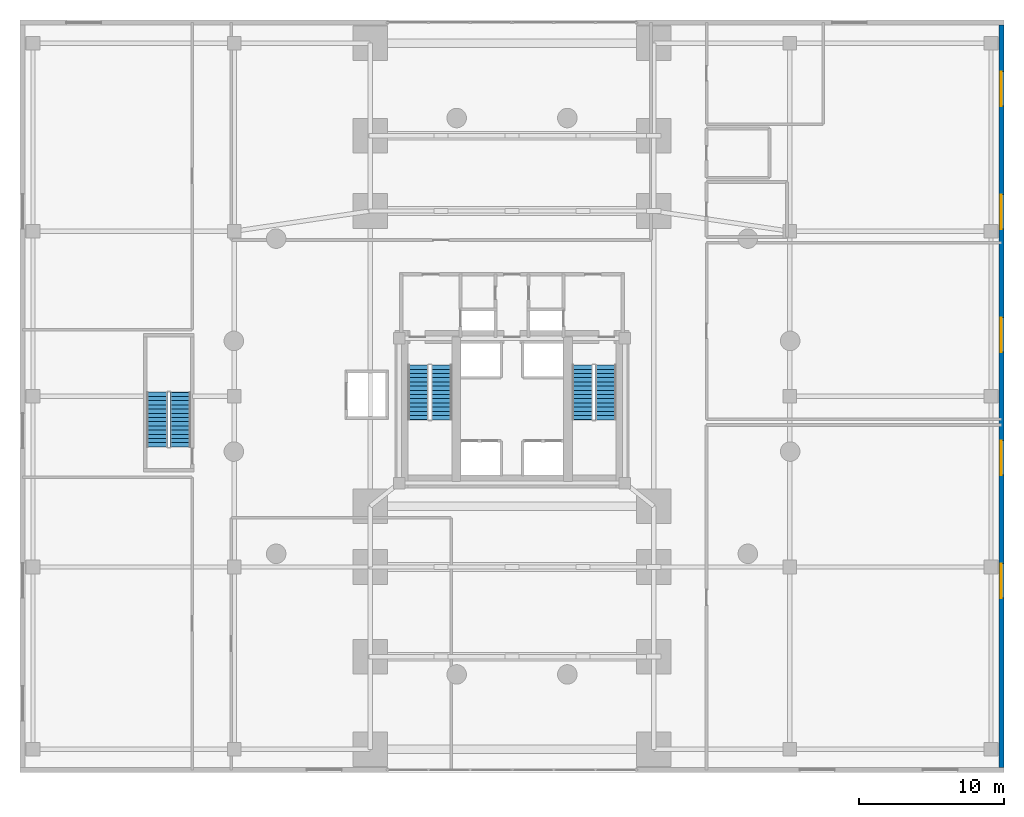
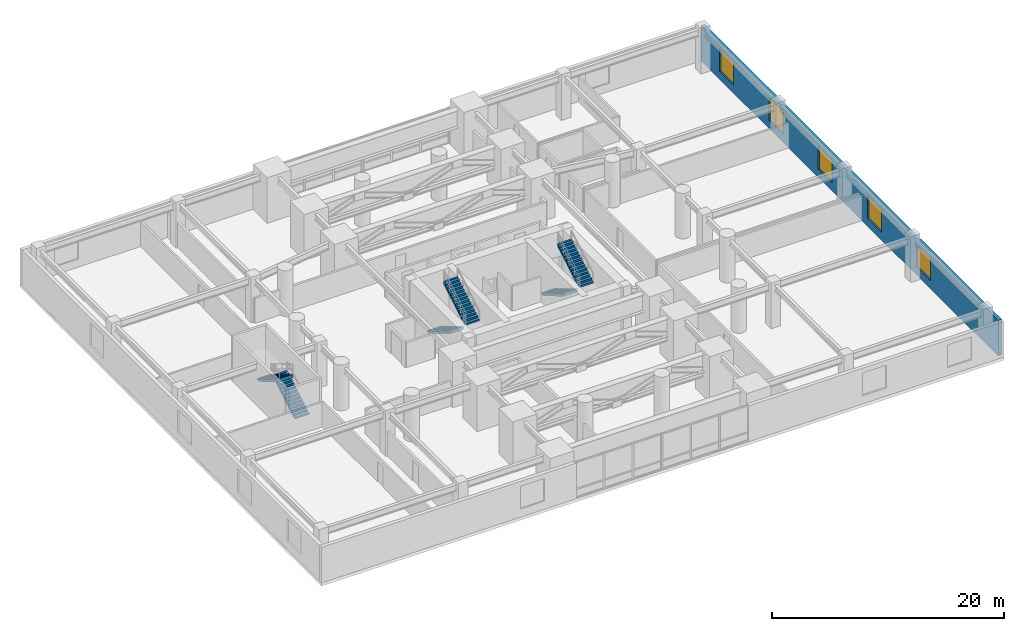
# One storey, part 16 of 17: 6 stair flights, 5 windows, 1 wall, 5 openings, 3 elements without a shape of their own.
"""IFC4 building model written with IfcOpenShell, lengths in metres."""

from ifc_helpers import new_model, si_unit, direction, frame, frame_2d, origin, place, context, subcontext, project, spatial, polyline, rectangle, outline, extrude, material, layer, layer_set, type_object, element, fill, aggregate, save


model = new_model("IFC4")

# Units and contexts
model_context = context("Model", 3, precision=1e-05, world=origin(), true_north=direction((0.0, 1.0)))
body_context = subcontext(model_context, "Body", "Model", "MODEL_VIEW")
ifc_project = project(units=[si_unit("LENGTHUNIT", "METRE"), si_unit("AREAUNIT", "SQUARE_METRE"), si_unit("VOLUMEUNIT", "CUBIC_METRE"), si_unit("PLANEANGLEUNIT", "RADIAN"), si_unit("MASSUNIT", "GRAM", prefix="KILO"), si_unit("THERMODYNAMICTEMPERATUREUNIT", "KELVIN"), si_unit("POWERUNIT", "WATT")], contexts=[model_context])

# Site, building, storey
site_placement = place(None, origin())
site = spatial("IfcSite", under=ifc_project, at=site_placement, CompositionType="ELEMENT")
building_placement = place(site_placement, origin())
building = spatial("IfcBuilding", under=site, at=building_placement, Name="Ocrelia Relay Tower", CompositionType="ELEMENT")
storey_placement = place(building_placement, frame((0.0, 0.0, 15.60009765625)))
storey = spatial("IfcBuildingStorey", under=building, at=storey_placement, Name="L03", CompositionType="ELEMENT", Elevation=15.60009765625)

# Wall, openings, windows
ifc_material_1 = material(Name="Precast concrete C40/50 with oxide terracotta", Category="masonry")
ifc_layer = layer(ifc_material_1, 0.35009765625, Name="Precast concrete C40/50 with oxide terracotta")
ifc_layer_set = layer_set([ifc_layer], Name="Precast concrete C40/50 with oxide terracotta")
wall_type = type_object("IfcWallType", Name="W-EXT-POD-350", PredefinedType="SOLIDWALL", material=ifc_layer_set)
wall_placement = place(storey_placement, frame((67.820068359375, 51.639892578125, 0.0), z_axis=(0.0, 0.0, 1.0), x_axis=(0.0, -1.0, 0.0)))
wall = element("IfcWall", 1, at=wall_placement, inside=storey, type_object=wall_type, Name="L03 Oxide Terracotta Podium Wall EE", PredefinedType="SOLIDWALL", context=body_context, shape_type="SweptSolid", body=[
    extrude(rectangle(XDim=51.27978515625, YDim=0.35009765625, at=frame_2d((25.639892578125, 0.0))), origin(), (0.0, 0.0, 1.0), 3.760009765625),
])
opening_1_placement = place(wall_placement, frame((3.199951171875, 0.0, 0.85009765625)))
opening_1 = element("IfcOpeningElement", 2, at=opening_1_placement, cuts=wall, Name="Opening W-01", PredefinedType="OPENING", context=body_context, shape_type="SweptSolid", body=[
    extrude(rectangle(XDim=2.39990234375, YDim=2.39990234375, at=frame_2d((1.199951171875, 1.199951171875))), frame((0.0, 0.18505859375, 0.0), z_axis=(0.0, -1.0, 0.0), x_axis=(1.0, 0.0, 0.0)), (0.0, 0.0, 1.0), 0.3701171875),
])
opening_2_placement = place(wall_placement, frame((11.699951171875, 0.0, 0.85009765625)))
opening_2 = element("IfcOpeningElement", 3, at=opening_2_placement, cuts=wall, Name="Opening W-01", PredefinedType="OPENING", context=body_context, shape_type="SweptSolid", body=[
    extrude(rectangle(XDim=2.39990234375, YDim=2.39990234375, at=frame_2d((1.199951171875, 1.199951171875))), frame((0.0, 0.18505859375, 0.0), z_axis=(0.0, -1.0, 0.0), x_axis=(1.0, 0.0, 0.0)), (0.0, 0.0, 1.0), 0.3701171875),
])
opening_3_placement = place(wall_placement, frame((20.199951171875, 0.0, 0.85009765625)))
opening_3 = element("IfcOpeningElement", 4, at=opening_3_placement, cuts=wall, Name="Opening W-01", PredefinedType="OPENING", context=body_context, shape_type="SweptSolid", body=[
    extrude(rectangle(XDim=2.39990234375, YDim=2.39990234375, at=frame_2d((1.199951171875, 1.199951171875))), frame((0.0, 0.18505859375, 0.0), z_axis=(0.0, -1.0, 0.0), x_axis=(1.0, 0.0, 0.0)), (0.0, 0.0, 1.0), 0.3701171875),
])
opening_4_placement = place(wall_placement, frame((28.699951171875, 0.0, 0.85009765625)))
opening_4 = element("IfcOpeningElement", 5, at=opening_4_placement, cuts=wall, Name="Opening W-01", PredefinedType="OPENING", context=body_context, shape_type="SweptSolid", body=[
    extrude(rectangle(XDim=2.39990234375, YDim=2.39990234375, at=frame_2d((1.199951171875, 1.199951171875))), frame((0.0, 0.18505859375, 0.0), z_axis=(0.0, -1.0, 0.0), x_axis=(1.0, 0.0, 0.0)), (0.0, 0.0, 1.0), 0.3701171875),
])
opening_5_placement = place(wall_placement, frame((37.199951171875, 0.0, 0.85009765625)))
opening_5 = element("IfcOpeningElement", 6, at=opening_5_placement, cuts=wall, Name="Opening W-01", PredefinedType="OPENING", context=body_context, shape_type="SweptSolid", body=[
    extrude(rectangle(XDim=2.39990234375, YDim=2.39990234375, at=frame_2d((1.199951171875, 1.199951171875))), frame((0.0, 0.18505859375, 0.0), z_axis=(0.0, -1.0, 0.0), x_axis=(1.0, 0.0, 0.0)), (0.0, 0.0, 1.0), 0.3701171875),
])
ifc_material_2 = material(Name="Clear double-glazed low-E glass", Category="glass")
window_type = type_object("IfcWindowType", Name="WIN-POD-2400x2600", PartitioningType="SINGLE_PANEL", PredefinedType="WINDOW", material=ifc_material_2)
window_1_placement = place(opening_1_placement, origin())
window_1 = element("IfcWindow", 7, at=window_1_placement, inside=storey, type_object=window_type, Name="L03 Podium Punched Window EE-1", OverallHeight=2.39990234375, OverallWidth=2.39990234375, PartitioningType="SINGLE_PANEL", PredefinedType="WINDOW", context=body_context, shape_type="SweptSolid", body=[
    extrude(rectangle(XDim=2.39990234375, YDim=2.39990234375, at=frame_2d((1.199951171875, 1.199951171875))), frame((0.0, 0.030029296875, 0.0), z_axis=(0.0, -1.0, 0.0), x_axis=(1.0, 0.0, 0.0)), (0.0, 0.0, 1.0), 0.06005859375),
])
fill(opening_1, window_1)
window_2_placement = place(opening_2_placement, origin())
window_2 = element("IfcWindow", 8, at=window_2_placement, inside=storey, type_object=window_type, Name="L03 Podium Punched Window EE-2", OverallHeight=2.39990234375, OverallWidth=2.39990234375, PartitioningType="SINGLE_PANEL", PredefinedType="WINDOW", context=body_context, shape_type="SweptSolid", body=[
    extrude(rectangle(XDim=2.39990234375, YDim=2.39990234375, at=frame_2d((1.199951171875, 1.199951171875))), frame((0.0, 0.030029296875, 0.0), z_axis=(0.0, -1.0, 0.0), x_axis=(1.0, 0.0, 0.0)), (0.0, 0.0, 1.0), 0.06005859375),
])
fill(opening_2, window_2)
window_3_placement = place(opening_3_placement, origin())
window_3 = element("IfcWindow", 9, at=window_3_placement, inside=storey, type_object=window_type, Name="L03 Podium Punched Window EE-3", OverallHeight=2.39990234375, OverallWidth=2.39990234375, PartitioningType="SINGLE_PANEL", PredefinedType="WINDOW", context=body_context, shape_type="SweptSolid", body=[
    extrude(rectangle(XDim=2.39990234375, YDim=2.39990234375, at=frame_2d((1.199951171875, 1.199951171875))), frame((0.0, 0.030029296875, 0.0), z_axis=(0.0, -1.0, 0.0), x_axis=(1.0, 0.0, 0.0)), (0.0, 0.0, 1.0), 0.06005859375),
])
fill(opening_3, window_3)
window_4_placement = place(opening_4_placement, origin())
window_4 = element("IfcWindow", 10, at=window_4_placement, inside=storey, type_object=window_type, Name="L03 Podium Punched Window EE-4", OverallHeight=2.39990234375, OverallWidth=2.39990234375, PartitioningType="SINGLE_PANEL", PredefinedType="WINDOW", context=body_context, shape_type="SweptSolid", body=[
    extrude(rectangle(XDim=2.39990234375, YDim=2.39990234375, at=frame_2d((1.199951171875, 1.199951171875))), frame((0.0, 0.030029296875, 0.0), z_axis=(0.0, -1.0, 0.0), x_axis=(1.0, 0.0, 0.0)), (0.0, 0.0, 1.0), 0.06005859375),
])
fill(opening_4, window_4)
window_5_placement = place(opening_5_placement, origin())
window_5 = element("IfcWindow", 11, at=window_5_placement, inside=storey, type_object=window_type, Name="L03 Podium Punched Window EE-5", OverallHeight=2.39990234375, OverallWidth=2.39990234375, PartitioningType="SINGLE_PANEL", PredefinedType="WINDOW", context=body_context, shape_type="SweptSolid", body=[
    extrude(rectangle(XDim=2.39990234375, YDim=2.39990234375, at=frame_2d((1.199951171875, 1.199951171875))), frame((0.0, 0.030029296875, 0.0), z_axis=(0.0, -1.0, 0.0), x_axis=(1.0, 0.0, 0.0)), (0.0, 0.0, 1.0), 0.06005859375),
])
fill(opening_5, window_5)

# Stair, stair flights
ifc_material_3 = material(Name="Concrete C50/60", Category="concrete")
stair_type = type_object("IfcStairType", Name="ST-DL-1420-R171", PredefinedType="HALF_TURN_STAIR", material=ifc_material_3)
stair_1_placement = place(storey_placement, origin())
stair_1 = element("IfcStair", 12, at=stair_1_placement, inside=storey, type_object=stair_type, Name="L03 West Core Exit Stair ST1", PredefinedType="HALF_TURN_STAIR")
stair_flight_type = type_object("IfcStairFlightType", Name="STF-DL-1420-R171", PredefinedType="STRAIGHT", material=ifc_material_3)
stair_flight_1_placement = place(storey_placement, frame((27.52001953125, 28.14990234375, 0.0), z_axis=(0.0, 0.0, 1.0), x_axis=(0.0, -1.0, 0.0)))
stair_flight_1 = element("IfcStairFlight", 13, at=stair_flight_1_placement, type_object=stair_flight_type, Name="ST1 flight 1", NumberOfRisers=14, NumberOfTreads=13, PredefinedType="STRAIGHT", RiserHeight=0.171428571, TreadLength=0.29, context=body_context, shape_type="SweptSolid", body=[
    extrude(outline(polyline([(-0.008056640625, 0.0), (-0.008056640625, 0.17138671875), (0.0, 0.17138671875), (0.2900390625, 0.17138671875), (0.2900390625, 0.3427734375), (0.580078125, 0.3427734375), (0.580078125, 0.514404296875), (0.8701171875, 0.514404296875), (0.8701171875, 0.685791015625), (1.159912109375, 0.685791015625), (1.159912109375, 0.857177734375), (1.449951171875, 0.857177734375), (1.449951171875, 1.028564453125), (1.739990234375, 1.028564453125), (1.739990234375, 1.199951171875), (2.030029296875, 1.199951171875), (2.030029296875, 1.371337890625), (2.320068359375, 1.371337890625), (2.320068359375, 1.54296875), (2.610107421875, 1.54296875), (2.610107421875, 1.71435546875), (2.89990234375, 1.71435546875), (2.89990234375, 1.8857421875), (3.18994140625, 1.8857421875), (3.18994140625, 2.05712890625), (3.47998046875, 2.05712890625), (3.47998046875, 2.228515625), (3.77001953125, 2.228515625), (3.77001953125, 2.39990234375), (3.778076171875, 2.39990234375), (3.778076171875, 2.054443359375), (0.294677734375, 0.0), (-0.008056640625, 0.0)])), frame((0.0, 0.7099609375, 0.0), z_axis=(0.0, -1.0, 0.0), x_axis=(1.0, 0.0, 0.0)), (0.0, 0.0, 1.0), 1.419921875),
])
stair_flight_2_placement = place(storey_placement, frame((29.139892578125, 24.3798828125, 2.39990234375), z_axis=(0.0, 0.0, 1.0), x_axis=(0.0, 1.0, 0.0)))
stair_flight_2 = element("IfcStairFlight", 14, at=stair_flight_2_placement, type_object=stair_flight_type, Name="ST1 flight 2", NumberOfRisers=14, NumberOfTreads=13, PredefinedType="STRAIGHT", RiserHeight=0.171428571, TreadLength=0.29, context=body_context, shape_type="SweptSolid", body=[
    extrude(outline(polyline([(-0.008056640625, 0.0), (-0.008056640625, 0.17138671875), (0.0, 0.17138671875), (0.2900390625, 0.17138671875), (0.2900390625, 0.3427734375), (0.580078125, 0.3427734375), (0.580078125, 0.514404296875), (0.8701171875, 0.514404296875), (0.8701171875, 0.685791015625), (1.159912109375, 0.685791015625), (1.159912109375, 0.857177734375), (1.449951171875, 0.857177734375), (1.449951171875, 1.028564453125), (1.739990234375, 1.028564453125), (1.739990234375, 1.199951171875), (2.030029296875, 1.199951171875), (2.030029296875, 1.371337890625), (2.320068359375, 1.371337890625), (2.320068359375, 1.54296875), (2.610107421875, 1.54296875), (2.610107421875, 1.71435546875), (2.89990234375, 1.71435546875), (2.89990234375, 1.8857421875), (3.18994140625, 1.8857421875), (3.18994140625, 2.05712890625), (3.47998046875, 2.05712890625), (3.47998046875, 2.228515625), (3.77001953125, 2.228515625), (3.77001953125, 2.39990234375), (3.778076171875, 2.39990234375), (3.778076171875, 2.054443359375), (0.294677734375, 0.0), (-0.008056640625, 0.0)])), frame((0.0, 0.7099609375, 0.0), z_axis=(0.0, -1.0, 0.0), x_axis=(1.0, 0.0, 0.0)), (0.0, 0.0, 1.0), 1.419921875),
])
aggregate(stair_1, [stair_flight_1, stair_flight_2])

stair_2_placement = place(storey_placement, origin())
stair_2 = element("IfcStair", 15, at=stair_2_placement, inside=storey, type_object=stair_type, Name="L03 East Core Exit Stair ST2", PredefinedType="HALF_TURN_STAIR")
stair_flight_3_placement = place(storey_placement, frame((38.8701171875, 28.14990234375, 0.0), z_axis=(0.0, 0.0, 1.0), x_axis=(0.0, -1.0, 0.0)))
stair_flight_3 = element("IfcStairFlight", 16, at=stair_flight_3_placement, type_object=stair_flight_type, Name="ST2 flight 1", NumberOfRisers=14, NumberOfTreads=13, PredefinedType="STRAIGHT", RiserHeight=0.171428571, TreadLength=0.29, context=body_context, shape_type="SweptSolid", body=[
    extrude(outline(polyline([(-0.008056640625, 0.0), (-0.008056640625, 0.17138671875), (0.0, 0.17138671875), (0.2900390625, 0.17138671875), (0.2900390625, 0.3427734375), (0.580078125, 0.3427734375), (0.580078125, 0.514404296875), (0.8701171875, 0.514404296875), (0.8701171875, 0.685791015625), (1.159912109375, 0.685791015625), (1.159912109375, 0.857177734375), (1.449951171875, 0.857177734375), (1.449951171875, 1.028564453125), (1.739990234375, 1.028564453125), (1.739990234375, 1.199951171875), (2.030029296875, 1.199951171875), (2.030029296875, 1.371337890625), (2.320068359375, 1.371337890625), (2.320068359375, 1.54296875), (2.610107421875, 1.54296875), (2.610107421875, 1.71435546875), (2.89990234375, 1.71435546875), (2.89990234375, 1.8857421875), (3.18994140625, 1.8857421875), (3.18994140625, 2.05712890625), (3.47998046875, 2.05712890625), (3.47998046875, 2.228515625), (3.77001953125, 2.228515625), (3.77001953125, 2.39990234375), (3.778076171875, 2.39990234375), (3.778076171875, 2.054443359375), (0.294677734375, 0.0), (-0.008056640625, 0.0)])), frame((0.0, 0.7099609375, 0.0), z_axis=(0.0, -1.0, 0.0), x_axis=(1.0, 0.0, 0.0)), (0.0, 0.0, 1.0), 1.419921875),
])
stair_flight_4_placement = place(storey_placement, frame((40.489990234375, 24.3798828125, 2.39990234375), z_axis=(0.0, 0.0, 1.0), x_axis=(0.0, 1.0, 0.0)))
stair_flight_4 = element("IfcStairFlight", 17, at=stair_flight_4_placement, type_object=stair_flight_type, Name="ST2 flight 2", NumberOfRisers=14, NumberOfTreads=13, PredefinedType="STRAIGHT", RiserHeight=0.171428571, TreadLength=0.29, context=body_context, shape_type="SweptSolid", body=[
    extrude(outline(polyline([(-0.008056640625, 0.0), (-0.008056640625, 0.17138671875), (0.0, 0.17138671875), (0.2900390625, 0.17138671875), (0.2900390625, 0.3427734375), (0.580078125, 0.3427734375), (0.580078125, 0.514404296875), (0.8701171875, 0.514404296875), (0.8701171875, 0.685791015625), (1.159912109375, 0.685791015625), (1.159912109375, 0.857177734375), (1.449951171875, 0.857177734375), (1.449951171875, 1.028564453125), (1.739990234375, 1.028564453125), (1.739990234375, 1.199951171875), (2.030029296875, 1.199951171875), (2.030029296875, 1.371337890625), (2.320068359375, 1.371337890625), (2.320068359375, 1.54296875), (2.610107421875, 1.54296875), (2.610107421875, 1.71435546875), (2.89990234375, 1.71435546875), (2.89990234375, 1.8857421875), (3.18994140625, 1.8857421875), (3.18994140625, 2.05712890625), (3.47998046875, 2.05712890625), (3.47998046875, 2.228515625), (3.77001953125, 2.228515625), (3.77001953125, 2.39990234375), (3.778076171875, 2.39990234375), (3.778076171875, 2.054443359375), (0.294677734375, 0.0), (-0.008056640625, 0.0)])), frame((0.0, 0.7099609375, 0.0), z_axis=(0.0, -1.0, 0.0), x_axis=(1.0, 0.0, 0.0)), (0.0, 0.0, 1.0), 1.419921875),
])
aggregate(stair_2, [stair_flight_3, stair_flight_4])

stair_3_placement = place(storey_placement, origin())
stair_3 = element("IfcStair", 18, at=stair_3_placement, inside=storey, type_object=stair_type, Name="L03 Podium West Exit Stair ST3", PredefinedType="HALF_TURN_STAIR")
stair_flight_5_placement = place(storey_placement, frame((11.090087890625, 22.5, 0.0), z_axis=(0.0, 0.0, 1.0), x_axis=(0.0, 1.0, 0.0)))
stair_flight_5 = element("IfcStairFlight", 19, at=stair_flight_5_placement, type_object=stair_flight_type, Name="ST3 flight 1", NumberOfRisers=14, NumberOfTreads=13, PredefinedType="STRAIGHT", RiserHeight=0.171428571, TreadLength=0.29, context=body_context, shape_type="SweptSolid", body=[
    extrude(outline(polyline([(-0.008056640625, 0.0), (-0.008056640625, 0.17138671875), (0.0, 0.17138671875), (0.2900390625, 0.17138671875), (0.2900390625, 0.3427734375), (0.580078125, 0.3427734375), (0.580078125, 0.514404296875), (0.8701171875, 0.514404296875), (0.8701171875, 0.685791015625), (1.159912109375, 0.685791015625), (1.159912109375, 0.857177734375), (1.449951171875, 0.857177734375), (1.449951171875, 1.028564453125), (1.739990234375, 1.028564453125), (1.739990234375, 1.199951171875), (2.030029296875, 1.199951171875), (2.030029296875, 1.371337890625), (2.320068359375, 1.371337890625), (2.320068359375, 1.54296875), (2.610107421875, 1.54296875), (2.610107421875, 1.71435546875), (2.89990234375, 1.71435546875), (2.89990234375, 1.8857421875), (3.18994140625, 1.8857421875), (3.18994140625, 2.05712890625), (3.47998046875, 2.05712890625), (3.47998046875, 2.228515625), (3.77001953125, 2.228515625), (3.77001953125, 2.39990234375), (3.778076171875, 2.39990234375), (3.778076171875, 2.054443359375), (0.294677734375, 0.0), (-0.008056640625, 0.0)])), frame((0.0, 0.7099609375, 0.0), z_axis=(0.0, -1.0, 0.0), x_axis=(1.0, 0.0, 0.0)), (0.0, 0.0, 1.0), 1.419921875),
])
stair_flight_6_placement = place(storey_placement, frame((9.469970703125, 26.27001953125, 2.39990234375), z_axis=(0.0, 0.0, 1.0), x_axis=(0.0, -1.0, 0.0)))
stair_flight_6 = element("IfcStairFlight", 20, at=stair_flight_6_placement, type_object=stair_flight_type, Name="ST3 flight 2", NumberOfRisers=14, NumberOfTreads=13, PredefinedType="STRAIGHT", RiserHeight=0.171428571, TreadLength=0.29, context=body_context, shape_type="SweptSolid", body=[
    extrude(outline(polyline([(-0.008056640625, 0.0), (-0.008056640625, 0.17138671875), (0.0, 0.17138671875), (0.2900390625, 0.17138671875), (0.2900390625, 0.3427734375), (0.580078125, 0.3427734375), (0.580078125, 0.514404296875), (0.8701171875, 0.514404296875), (0.8701171875, 0.685791015625), (1.159912109375, 0.685791015625), (1.159912109375, 0.857177734375), (1.449951171875, 0.857177734375), (1.449951171875, 1.028564453125), (1.739990234375, 1.028564453125), (1.739990234375, 1.199951171875), (2.030029296875, 1.199951171875), (2.030029296875, 1.371337890625), (2.320068359375, 1.371337890625), (2.320068359375, 1.54296875), (2.610107421875, 1.54296875), (2.610107421875, 1.71435546875), (2.89990234375, 1.71435546875), (2.89990234375, 1.8857421875), (3.18994140625, 1.8857421875), (3.18994140625, 2.05712890625), (3.47998046875, 2.05712890625), (3.47998046875, 2.228515625), (3.77001953125, 2.228515625), (3.77001953125, 2.39990234375), (3.778076171875, 2.39990234375), (3.778076171875, 2.054443359375), (0.294677734375, 0.0), (-0.008056640625, 0.0)])), frame((0.0, 0.7099609375, 0.0), z_axis=(0.0, -1.0, 0.0), x_axis=(1.0, 0.0, 0.0)), (0.0, 0.0, 1.0), 1.419921875),
])
aggregate(stair_3, [stair_flight_5, stair_flight_6])

save(model, "model.ifc")
